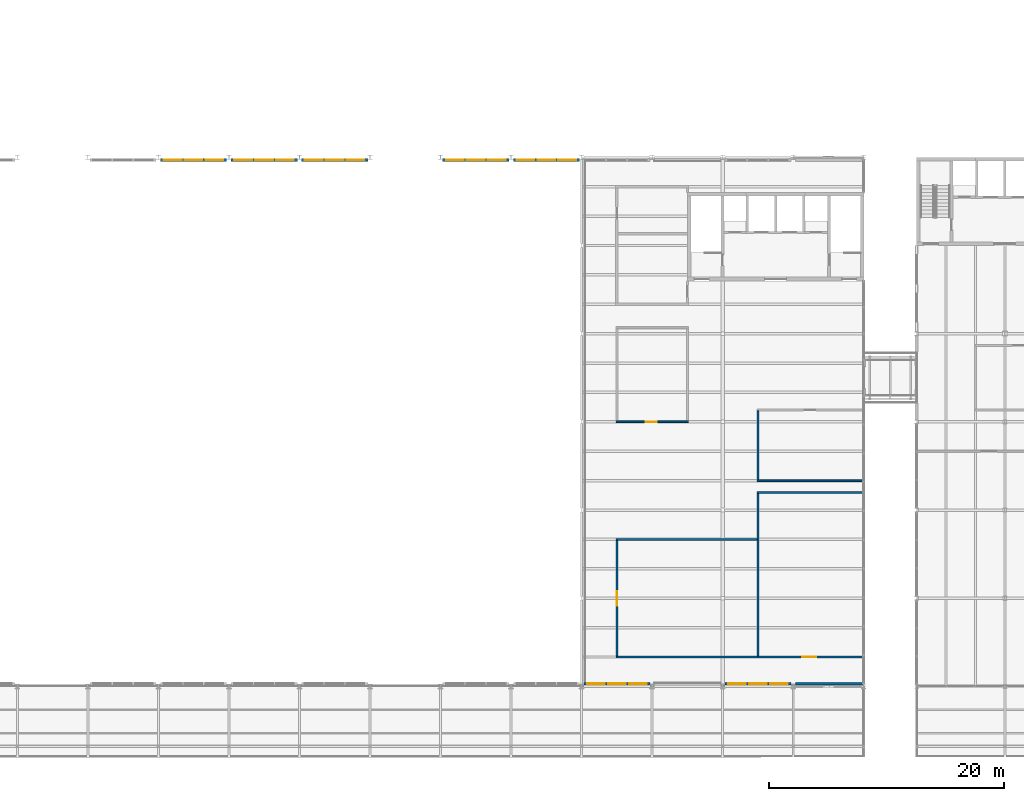
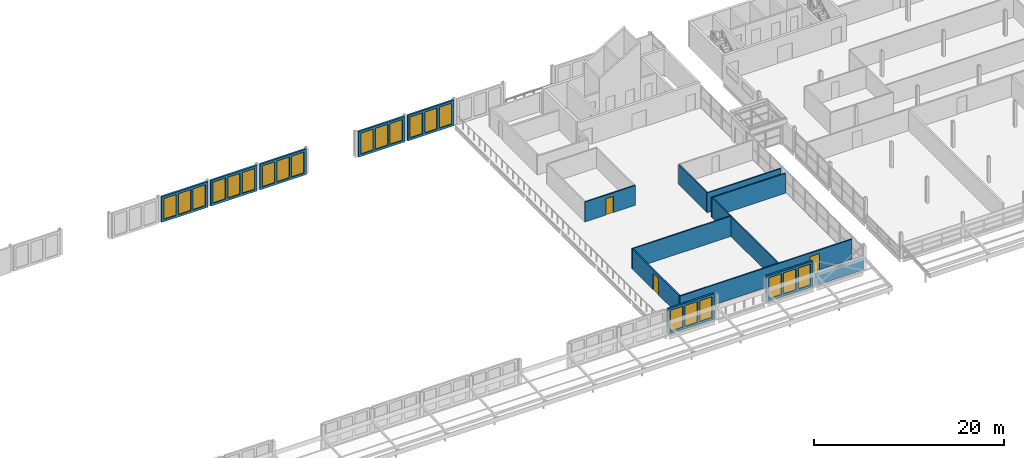
# One storey, part 63 of 214: 21 windows, 16 walls, 3 doors, 24 openings.
"""IFC4 building model written with IfcOpenShell, lengths in metres."""

from ifc_helpers import new_model, si_unit, direction, frame, frame_2d, origin, place, context, subcontext, project, spatial, rectangle, extrude, material, layer, layer_set, type_object, element, fill, save


model = new_model("IFC4")

# Units and contexts
model_context = context("Model", 3, precision=1e-05, world=origin(), true_north=direction((0.0, 1.0)))
body_context = subcontext(model_context, "Body", "Model", "MODEL_VIEW")
ifc_project = project(units=[si_unit("LENGTHUNIT", "METRE"), si_unit("AREAUNIT", "SQUARE_METRE"), si_unit("VOLUMEUNIT", "CUBIC_METRE"), si_unit("PLANEANGLEUNIT", "RADIAN"), si_unit("MASSUNIT", "GRAM", prefix="KILO")], contexts=[model_context])

# Site, building, storey
site_placement = place(None, origin())
site = spatial("IfcSite", under=ifc_project, at=site_placement, CompositionType="ELEMENT")
building_placement = place(site_placement, origin())
building = spatial("IfcBuilding", under=site, at=building_placement, Name="Parallax Yard Mobility Hub", CompositionType="ELEMENT")
storey_placement = place(building_placement, frame((0.0, 0.0, 3.300048828125)))
storey = spatial("IfcBuildingStorey", under=building, at=storey_placement, Name="L01", CompositionType="ELEMENT", Elevation=3.300048828125)

# Wall, openings, windows
ifc_material_1 = material(Name="Concrete fc' 35 MPa", Category="concrete")
ifc_layer_1 = layer(ifc_material_1, 0.219970703125)
ifc_layer_set_1 = layer_set([ifc_layer_1], Name="Gable panel, Concrete fc' 35 MPa precast, 220")
wall_type_1 = type_object("IfcWallType", Name="Gable panel, Concrete fc' 35 MPa precast, 220", PredefinedType="SOLIDWALL", material=ifc_layer_set_1)
wall_1_placement = place(storey_placement, frame((69.1865234375, 7.72412109375, 0.0), z_axis=(0.0, 0.0, 1.0), x_axis=(1.0, 0.0, 0.0)))
wall_1 = element("IfcWall", 1, at=wall_1_placement, inside=storey, type_object=wall_type_1, Name="Bus and taxi deck south gable wall bay 9 level L01", PredefinedType="SOLIDWALL", context=body_context, shape_type="SweptSolid", body=[
    extrude(rectangle(XDim=5.626953125, YDim=0.219970703125, at=frame_2d((2.8134765625, 0.0))), origin(), (0.0, 0.0, 1.0), 3.300048828125),
])
opening_1_placement = place(wall_1_placement, frame((0.28173828125, 0.0, 0.300048828125)))
opening_1 = element("IfcOpeningElement", 2, at=opening_1_placement, cuts=wall_1, Name="Opening LV8", PredefinedType="OPENING", context=body_context, shape_type="SweptSolid", body=[
    extrude(rectangle(XDim=1.5, YDim=2.699951171875, at=frame_2d((0.75, 1.35009765625))), frame((0.0, 0.1201171875, 0.0), z_axis=(0.0, -1.0, 0.0), x_axis=(1.0, 0.0, 0.0)), (0.0, 0.0, 1.0), 0.239990234375),
])
opening_2_placement = place(wall_1_placement, frame((2.0634765625, 0.0, 0.300048828125)))
opening_2 = element("IfcOpeningElement", 3, at=opening_2_placement, cuts=wall_1, Name="Opening LV8", PredefinedType="OPENING", context=body_context, shape_type="SweptSolid", body=[
    extrude(rectangle(XDim=1.5, YDim=2.699951171875, at=frame_2d((0.75, 1.35009765625))), frame((0.0, 0.1201171875, 0.0), z_axis=(0.0, -1.0, 0.0), x_axis=(1.0, 0.0, 0.0)), (0.0, 0.0, 1.0), 0.239990234375),
])
opening_3_placement = place(wall_1_placement, frame((3.84521484375, 0.0, 0.300048828125)))
opening_3 = element("IfcOpeningElement", 4, at=opening_3_placement, cuts=wall_1, Name="Opening LV8", PredefinedType="OPENING", context=body_context, shape_type="SweptSolid", body=[
    extrude(rectangle(XDim=1.5, YDim=2.699951171875, at=frame_2d((0.75, 1.35009765625))), frame((0.0, 0.1201171875, 0.0), z_axis=(0.0, -1.0, 0.0), x_axis=(1.0, 0.0, 0.0)), (0.0, 0.0, 1.0), 0.239990234375),
])
ifc_material_2 = material(Name="Extruded aluminium storm louvre blades in a powder-coated frame", Category="aluminium")
window_type = type_object("IfcWindowType", Name="Storm louvre 1500 x 2700", PartitioningType="SINGLE_PANEL", PredefinedType="WINDOW", material=ifc_material_2)
window_1_placement = place(opening_1_placement, origin())
window_1 = element("IfcWindow", 5, at=window_1_placement, inside=storey, type_object=window_type, Name="LV8 louvre level L01", OverallHeight=2.699951171875, OverallWidth=1.5, PartitioningType="SINGLE_PANEL", PredefinedType="WINDOW", context=body_context, shape_type="SweptSolid", body=[
    extrude(rectangle(XDim=1.5, YDim=2.699951171875, at=frame_2d((0.75, 1.35009765625))), frame((0.0, 0.030029296875, 0.0), z_axis=(0.0, -1.0, 0.0), x_axis=(1.0, 0.0, 0.0)), (0.0, 0.0, 1.0), 0.06005859375),
])
fill(opening_1, window_1)
window_2_placement = place(opening_2_placement, origin())
window_2 = element("IfcWindow", 6, at=window_2_placement, inside=storey, type_object=window_type, Name="LV8 louvre level L01", OverallHeight=2.699951171875, OverallWidth=1.5, PartitioningType="SINGLE_PANEL", PredefinedType="WINDOW", context=body_context, shape_type="SweptSolid", body=[
    extrude(rectangle(XDim=1.5, YDim=2.699951171875, at=frame_2d((0.75, 1.35009765625))), frame((0.0, 0.030029296875, 0.0), z_axis=(0.0, -1.0, 0.0), x_axis=(1.0, 0.0, 0.0)), (0.0, 0.0, 1.0), 0.06005859375),
])
fill(opening_2, window_2)
window_3_placement = place(opening_3_placement, origin())
window_3 = element("IfcWindow", 7, at=window_3_placement, inside=storey, type_object=window_type, Name="LV8 louvre level L01", OverallHeight=2.699951171875, OverallWidth=1.5, PartitioningType="SINGLE_PANEL", PredefinedType="WINDOW", context=body_context, shape_type="SweptSolid", body=[
    extrude(rectangle(XDim=1.5, YDim=2.699951171875, at=frame_2d((0.75, 1.35009765625))), frame((0.0, 0.030029296875, 0.0), z_axis=(0.0, -1.0, 0.0), x_axis=(1.0, 0.0, 0.0)), (0.0, 0.0, 1.0), 0.06005859375),
])
fill(opening_3, window_3)

wall_2_placement = place(storey_placement, frame((81.1865234375, 7.72412109375, 0.0), z_axis=(0.0, 0.0, 1.0), x_axis=(1.0, 0.0, 0.0)))
wall_2 = element("IfcWall", 8, at=wall_2_placement, inside=storey, type_object=wall_type_1, Name="Bus and taxi deck south gable wall bay 10 level L01", PredefinedType="SOLIDWALL", context=body_context, shape_type="SweptSolid", body=[
    extrude(rectangle(XDim=5.626953125, YDim=0.219970703125, at=frame_2d((2.8134765625, 0.0))), origin(), (0.0, 0.0, 1.0), 3.300048828125),
])
opening_4_placement = place(wall_2_placement, frame((0.28173828125, 0.0, 0.300048828125)))
opening_4 = element("IfcOpeningElement", 9, at=opening_4_placement, cuts=wall_2, Name="Opening LV8", PredefinedType="OPENING", context=body_context, shape_type="SweptSolid", body=[
    extrude(rectangle(XDim=1.5, YDim=2.699951171875, at=frame_2d((0.75, 1.35009765625))), frame((0.0, 0.1201171875, 0.0), z_axis=(0.0, -1.0, 0.0), x_axis=(1.0, 0.0, 0.0)), (0.0, 0.0, 1.0), 0.239990234375),
])
opening_5_placement = place(wall_2_placement, frame((2.0634765625, 0.0, 0.300048828125)))
opening_5 = element("IfcOpeningElement", 10, at=opening_5_placement, cuts=wall_2, Name="Opening LV8", PredefinedType="OPENING", context=body_context, shape_type="SweptSolid", body=[
    extrude(rectangle(XDim=1.5, YDim=2.699951171875, at=frame_2d((0.75, 1.35009765625))), frame((0.0, 0.1201171875, 0.0), z_axis=(0.0, -1.0, 0.0), x_axis=(1.0, 0.0, 0.0)), (0.0, 0.0, 1.0), 0.239990234375),
])
opening_6_placement = place(wall_2_placement, frame((3.84521484375, 0.0, 0.300048828125)))
opening_6 = element("IfcOpeningElement", 11, at=opening_6_placement, cuts=wall_2, Name="Opening LV8", PredefinedType="OPENING", context=body_context, shape_type="SweptSolid", body=[
    extrude(rectangle(XDim=1.5, YDim=2.699951171875, at=frame_2d((0.75, 1.35009765625))), frame((0.0, 0.1201171875, 0.0), z_axis=(0.0, -1.0, 0.0), x_axis=(1.0, 0.0, 0.0)), (0.0, 0.0, 1.0), 0.239990234375),
])
window_4_placement = place(opening_4_placement, origin())
window_4 = element("IfcWindow", 12, at=window_4_placement, inside=storey, type_object=window_type, Name="LV8 louvre level L01", OverallHeight=2.699951171875, OverallWidth=1.5, PartitioningType="SINGLE_PANEL", PredefinedType="WINDOW", context=body_context, shape_type="SweptSolid", body=[
    extrude(rectangle(XDim=1.5, YDim=2.699951171875, at=frame_2d((0.75, 1.35009765625))), frame((0.0, 0.030029296875, 0.0), z_axis=(0.0, -1.0, 0.0), x_axis=(1.0, 0.0, 0.0)), (0.0, 0.0, 1.0), 0.06005859375),
])
fill(opening_4, window_4)
window_5_placement = place(opening_5_placement, origin())
window_5 = element("IfcWindow", 13, at=window_5_placement, inside=storey, type_object=window_type, Name="LV8 louvre level L01", OverallHeight=2.699951171875, OverallWidth=1.5, PartitioningType="SINGLE_PANEL", PredefinedType="WINDOW", context=body_context, shape_type="SweptSolid", body=[
    extrude(rectangle(XDim=1.5, YDim=2.699951171875, at=frame_2d((0.75, 1.35009765625))), frame((0.0, 0.030029296875, 0.0), z_axis=(0.0, -1.0, 0.0), x_axis=(1.0, 0.0, 0.0)), (0.0, 0.0, 1.0), 0.06005859375),
])
fill(opening_5, window_5)
window_6_placement = place(opening_6_placement, origin())
window_6 = element("IfcWindow", 14, at=window_6_placement, inside=storey, type_object=window_type, Name="LV8 louvre level L01", OverallHeight=2.699951171875, OverallWidth=1.5, PartitioningType="SINGLE_PANEL", PredefinedType="WINDOW", context=body_context, shape_type="SweptSolid", body=[
    extrude(rectangle(XDim=1.5, YDim=2.699951171875, at=frame_2d((0.75, 1.35009765625))), frame((0.0, 0.030029296875, 0.0), z_axis=(0.0, -1.0, 0.0), x_axis=(1.0, 0.0, 0.0)), (0.0, 0.0, 1.0), 0.06005859375),
])
fill(opening_6, window_6)

# Wall
wall_3_placement = place(storey_placement, frame((87.1865234375, 7.72900390625, 0.0), z_axis=(0.0, 0.0, 1.0), x_axis=(1.0, 0.0, 0.0)))
element("IfcWall", 15, at=wall_3_placement, inside=storey, type_object=wall_type_1, Name="Bus and taxi deck south gable wall bay 11 level L01", PredefinedType="SOLIDWALL", context=body_context, shape_type="SweptSolid", body=[
    extrude(rectangle(XDim=5.783447265625, YDim=0.219970703125, at=frame_2d((2.8916015625, 0.0))), origin(), (0.0, 0.0, 1.0), 1.45556640625),
])

# Wall, openings, windows
wall_4_placement = place(storey_placement, frame((33.1865234375, 52.27587890625, 0.0), z_axis=(0.0, 0.0, 1.0), x_axis=(1.0, 0.0, 0.0)))
wall_4 = element("IfcWall", 16, at=wall_4_placement, inside=storey, type_object=wall_type_1, Name="Bus and taxi deck north gable wall bay 4 level L01", PredefinedType="SOLIDWALL", context=body_context, shape_type="SweptSolid", body=[
    extrude(rectangle(XDim=5.626953125, YDim=0.219970703125, at=frame_2d((2.8134765625, 0.0))), origin(), (0.0, 0.0, 1.0), 3.300048828125),
])
opening_7_placement = place(wall_4_placement, frame((0.28173828125, 0.0, 0.300048828125)))
opening_7 = element("IfcOpeningElement", 17, at=opening_7_placement, cuts=wall_4, Name="Opening LV8", PredefinedType="OPENING", context=body_context, shape_type="SweptSolid", body=[
    extrude(rectangle(XDim=1.5, YDim=2.699951171875, at=frame_2d((0.75, 1.35009765625))), frame((0.0, 0.1201171875, 0.0), z_axis=(0.0, -1.0, 0.0), x_axis=(1.0, 0.0, 0.0)), (0.0, 0.0, 1.0), 0.239990234375),
])
opening_8_placement = place(wall_4_placement, frame((2.0634765625, 0.0, 0.300048828125)))
opening_8 = element("IfcOpeningElement", 18, at=opening_8_placement, cuts=wall_4, Name="Opening LV8", PredefinedType="OPENING", context=body_context, shape_type="SweptSolid", body=[
    extrude(rectangle(XDim=1.5, YDim=2.699951171875, at=frame_2d((0.75, 1.35009765625))), frame((0.0, 0.1201171875, 0.0), z_axis=(0.0, -1.0, 0.0), x_axis=(1.0, 0.0, 0.0)), (0.0, 0.0, 1.0), 0.239990234375),
])
opening_9_placement = place(wall_4_placement, frame((3.84521484375, 0.0, 0.300048828125)))
opening_9 = element("IfcOpeningElement", 19, at=opening_9_placement, cuts=wall_4, Name="Opening LV8", PredefinedType="OPENING", context=body_context, shape_type="SweptSolid", body=[
    extrude(rectangle(XDim=1.5, YDim=2.699951171875, at=frame_2d((0.75, 1.35009765625))), frame((0.0, 0.1201171875, 0.0), z_axis=(0.0, -1.0, 0.0), x_axis=(1.0, 0.0, 0.0)), (0.0, 0.0, 1.0), 0.239990234375),
])
window_7_placement = place(opening_7_placement, origin())
window_7 = element("IfcWindow", 20, at=window_7_placement, inside=storey, type_object=window_type, Name="LV8 louvre level L01", OverallHeight=2.699951171875, OverallWidth=1.5, PartitioningType="SINGLE_PANEL", PredefinedType="WINDOW", context=body_context, shape_type="SweptSolid", body=[
    extrude(rectangle(XDim=1.5, YDim=2.699951171875, at=frame_2d((0.75, 1.35009765625))), frame((0.0, 0.030029296875, 0.0), z_axis=(0.0, -1.0, 0.0), x_axis=(1.0, 0.0, 0.0)), (0.0, 0.0, 1.0), 0.06005859375),
])
fill(opening_7, window_7)
window_8_placement = place(opening_8_placement, origin())
window_8 = element("IfcWindow", 21, at=window_8_placement, inside=storey, type_object=window_type, Name="LV8 louvre level L01", OverallHeight=2.699951171875, OverallWidth=1.5, PartitioningType="SINGLE_PANEL", PredefinedType="WINDOW", context=body_context, shape_type="SweptSolid", body=[
    extrude(rectangle(XDim=1.5, YDim=2.699951171875, at=frame_2d((0.75, 1.35009765625))), frame((0.0, 0.030029296875, 0.0), z_axis=(0.0, -1.0, 0.0), x_axis=(1.0, 0.0, 0.0)), (0.0, 0.0, 1.0), 0.06005859375),
])
fill(opening_8, window_8)
window_9_placement = place(opening_9_placement, origin())
window_9 = element("IfcWindow", 22, at=window_9_placement, inside=storey, type_object=window_type, Name="LV8 louvre level L01", OverallHeight=2.699951171875, OverallWidth=1.5, PartitioningType="SINGLE_PANEL", PredefinedType="WINDOW", context=body_context, shape_type="SweptSolid", body=[
    extrude(rectangle(XDim=1.5, YDim=2.699951171875, at=frame_2d((0.75, 1.35009765625))), frame((0.0, 0.030029296875, 0.0), z_axis=(0.0, -1.0, 0.0), x_axis=(1.0, 0.0, 0.0)), (0.0, 0.0, 1.0), 0.06005859375),
])
fill(opening_9, window_9)

wall_5_placement = place(storey_placement, frame((39.1865234375, 52.27587890625, 0.0), z_axis=(0.0, 0.0, 1.0), x_axis=(1.0, 0.0, 0.0)))
wall_5 = element("IfcWall", 23, at=wall_5_placement, inside=storey, type_object=wall_type_1, Name="Bus and taxi deck north gable wall bay 5 level L01", PredefinedType="SOLIDWALL", context=body_context, shape_type="SweptSolid", body=[
    extrude(rectangle(XDim=5.626953125, YDim=0.219970703125, at=frame_2d((2.8134765625, 0.0))), origin(), (0.0, 0.0, 1.0), 3.300048828125),
])
opening_10_placement = place(wall_5_placement, frame((0.28173828125, 0.0, 0.300048828125)))
opening_10 = element("IfcOpeningElement", 24, at=opening_10_placement, cuts=wall_5, Name="Opening LV8", PredefinedType="OPENING", context=body_context, shape_type="SweptSolid", body=[
    extrude(rectangle(XDim=1.5, YDim=2.699951171875, at=frame_2d((0.75, 1.35009765625))), frame((0.0, 0.1201171875, 0.0), z_axis=(0.0, -1.0, 0.0), x_axis=(1.0, 0.0, 0.0)), (0.0, 0.0, 1.0), 0.239990234375),
])
opening_11_placement = place(wall_5_placement, frame((2.0634765625, 0.0, 0.300048828125)))
opening_11 = element("IfcOpeningElement", 25, at=opening_11_placement, cuts=wall_5, Name="Opening LV8", PredefinedType="OPENING", context=body_context, shape_type="SweptSolid", body=[
    extrude(rectangle(XDim=1.5, YDim=2.699951171875, at=frame_2d((0.75, 1.35009765625))), frame((0.0, 0.1201171875, 0.0), z_axis=(0.0, -1.0, 0.0), x_axis=(1.0, 0.0, 0.0)), (0.0, 0.0, 1.0), 0.239990234375),
])
opening_12_placement = place(wall_5_placement, frame((3.84521484375, 0.0, 0.300048828125)))
opening_12 = element("IfcOpeningElement", 26, at=opening_12_placement, cuts=wall_5, Name="Opening LV8", PredefinedType="OPENING", context=body_context, shape_type="SweptSolid", body=[
    extrude(rectangle(XDim=1.5, YDim=2.699951171875, at=frame_2d((0.75, 1.35009765625))), frame((0.0, 0.1201171875, 0.0), z_axis=(0.0, -1.0, 0.0), x_axis=(1.0, 0.0, 0.0)), (0.0, 0.0, 1.0), 0.239990234375),
])
window_10_placement = place(opening_10_placement, origin())
window_10 = element("IfcWindow", 27, at=window_10_placement, inside=storey, type_object=window_type, Name="LV8 louvre level L01", OverallHeight=2.699951171875, OverallWidth=1.5, PartitioningType="SINGLE_PANEL", PredefinedType="WINDOW", context=body_context, shape_type="SweptSolid", body=[
    extrude(rectangle(XDim=1.5, YDim=2.699951171875, at=frame_2d((0.75, 1.35009765625))), frame((0.0, 0.030029296875, 0.0), z_axis=(0.0, -1.0, 0.0), x_axis=(1.0, 0.0, 0.0)), (0.0, 0.0, 1.0), 0.06005859375),
])
fill(opening_10, window_10)
window_11_placement = place(opening_11_placement, origin())
window_11 = element("IfcWindow", 28, at=window_11_placement, inside=storey, type_object=window_type, Name="LV8 louvre level L01", OverallHeight=2.699951171875, OverallWidth=1.5, PartitioningType="SINGLE_PANEL", PredefinedType="WINDOW", context=body_context, shape_type="SweptSolid", body=[
    extrude(rectangle(XDim=1.5, YDim=2.699951171875, at=frame_2d((0.75, 1.35009765625))), frame((0.0, 0.030029296875, 0.0), z_axis=(0.0, -1.0, 0.0), x_axis=(1.0, 0.0, 0.0)), (0.0, 0.0, 1.0), 0.06005859375),
])
fill(opening_11, window_11)
window_12_placement = place(opening_12_placement, origin())
window_12 = element("IfcWindow", 29, at=window_12_placement, inside=storey, type_object=window_type, Name="LV8 louvre level L01", OverallHeight=2.699951171875, OverallWidth=1.5, PartitioningType="SINGLE_PANEL", PredefinedType="WINDOW", context=body_context, shape_type="SweptSolid", body=[
    extrude(rectangle(XDim=1.5, YDim=2.699951171875, at=frame_2d((0.75, 1.35009765625))), frame((0.0, 0.030029296875, 0.0), z_axis=(0.0, -1.0, 0.0), x_axis=(1.0, 0.0, 0.0)), (0.0, 0.0, 1.0), 0.06005859375),
])
fill(opening_12, window_12)

wall_6_placement = place(storey_placement, frame((45.1865234375, 52.27587890625, 0.0), z_axis=(0.0, 0.0, 1.0), x_axis=(1.0, 0.0, 0.0)))
wall_6 = element("IfcWall", 30, at=wall_6_placement, inside=storey, type_object=wall_type_1, Name="Bus and taxi deck north gable wall bay 6 level L01", PredefinedType="SOLIDWALL", context=body_context, shape_type="SweptSolid", body=[
    extrude(rectangle(XDim=5.626953125, YDim=0.219970703125, at=frame_2d((2.8134765625, 0.0))), origin(), (0.0, 0.0, 1.0), 3.300048828125),
])
opening_13_placement = place(wall_6_placement, frame((0.28173828125, 0.0, 0.300048828125)))
opening_13 = element("IfcOpeningElement", 31, at=opening_13_placement, cuts=wall_6, Name="Opening LV8", PredefinedType="OPENING", context=body_context, shape_type="SweptSolid", body=[
    extrude(rectangle(XDim=1.5, YDim=2.699951171875, at=frame_2d((0.75, 1.35009765625))), frame((0.0, 0.1201171875, 0.0), z_axis=(0.0, -1.0, 0.0), x_axis=(1.0, 0.0, 0.0)), (0.0, 0.0, 1.0), 0.239990234375),
])
opening_14_placement = place(wall_6_placement, frame((2.0634765625, 0.0, 0.300048828125)))
opening_14 = element("IfcOpeningElement", 32, at=opening_14_placement, cuts=wall_6, Name="Opening LV8", PredefinedType="OPENING", context=body_context, shape_type="SweptSolid", body=[
    extrude(rectangle(XDim=1.5, YDim=2.699951171875, at=frame_2d((0.75, 1.35009765625))), frame((0.0, 0.1201171875, 0.0), z_axis=(0.0, -1.0, 0.0), x_axis=(1.0, 0.0, 0.0)), (0.0, 0.0, 1.0), 0.239990234375),
])
opening_15_placement = place(wall_6_placement, frame((3.84521484375, 0.0, 0.300048828125)))
opening_15 = element("IfcOpeningElement", 33, at=opening_15_placement, cuts=wall_6, Name="Opening LV8", PredefinedType="OPENING", context=body_context, shape_type="SweptSolid", body=[
    extrude(rectangle(XDim=1.5, YDim=2.699951171875, at=frame_2d((0.75, 1.35009765625))), frame((0.0, 0.1201171875, 0.0), z_axis=(0.0, -1.0, 0.0), x_axis=(1.0, 0.0, 0.0)), (0.0, 0.0, 1.0), 0.239990234375),
])
window_13_placement = place(opening_13_placement, origin())
window_13 = element("IfcWindow", 34, at=window_13_placement, inside=storey, type_object=window_type, Name="LV8 louvre level L01", OverallHeight=2.699951171875, OverallWidth=1.5, PartitioningType="SINGLE_PANEL", PredefinedType="WINDOW", context=body_context, shape_type="SweptSolid", body=[
    extrude(rectangle(XDim=1.5, YDim=2.699951171875, at=frame_2d((0.75, 1.35009765625))), frame((0.0, 0.030029296875, 0.0), z_axis=(0.0, -1.0, 0.0), x_axis=(1.0, 0.0, 0.0)), (0.0, 0.0, 1.0), 0.06005859375),
])
fill(opening_13, window_13)
window_14_placement = place(opening_14_placement, origin())
window_14 = element("IfcWindow", 35, at=window_14_placement, inside=storey, type_object=window_type, Name="LV8 louvre level L01", OverallHeight=2.699951171875, OverallWidth=1.5, PartitioningType="SINGLE_PANEL", PredefinedType="WINDOW", context=body_context, shape_type="SweptSolid", body=[
    extrude(rectangle(XDim=1.5, YDim=2.699951171875, at=frame_2d((0.75, 1.35009765625))), frame((0.0, 0.030029296875, 0.0), z_axis=(0.0, -1.0, 0.0), x_axis=(1.0, 0.0, 0.0)), (0.0, 0.0, 1.0), 0.06005859375),
])
fill(opening_14, window_14)
window_15_placement = place(opening_15_placement, origin())
window_15 = element("IfcWindow", 36, at=window_15_placement, inside=storey, type_object=window_type, Name="LV8 louvre level L01", OverallHeight=2.699951171875, OverallWidth=1.5, PartitioningType="SINGLE_PANEL", PredefinedType="WINDOW", context=body_context, shape_type="SweptSolid", body=[
    extrude(rectangle(XDim=1.5, YDim=2.699951171875, at=frame_2d((0.75, 1.35009765625))), frame((0.0, 0.030029296875, 0.0), z_axis=(0.0, -1.0, 0.0), x_axis=(1.0, 0.0, 0.0)), (0.0, 0.0, 1.0), 0.06005859375),
])
fill(opening_15, window_15)

wall_7_placement = place(storey_placement, frame((57.1865234375, 52.27587890625, 0.0), z_axis=(0.0, 0.0, 1.0), x_axis=(1.0, 0.0, 0.0)))
wall_7 = element("IfcWall", 37, at=wall_7_placement, inside=storey, type_object=wall_type_1, Name="Bus and taxi deck north gable wall bay 7 level L01", PredefinedType="SOLIDWALL", context=body_context, shape_type="SweptSolid", body=[
    extrude(rectangle(XDim=5.626953125, YDim=0.219970703125, at=frame_2d((2.8134765625, 0.0))), origin(), (0.0, 0.0, 1.0), 3.300048828125),
])
opening_16_placement = place(wall_7_placement, frame((0.28173828125, 0.0, 0.300048828125)))
opening_16 = element("IfcOpeningElement", 38, at=opening_16_placement, cuts=wall_7, Name="Opening LV8", PredefinedType="OPENING", context=body_context, shape_type="SweptSolid", body=[
    extrude(rectangle(XDim=1.5, YDim=2.699951171875, at=frame_2d((0.75, 1.35009765625))), frame((0.0, 0.1201171875, 0.0), z_axis=(0.0, -1.0, 0.0), x_axis=(1.0, 0.0, 0.0)), (0.0, 0.0, 1.0), 0.239990234375),
])
opening_17_placement = place(wall_7_placement, frame((2.0634765625, 0.0, 0.300048828125)))
opening_17 = element("IfcOpeningElement", 39, at=opening_17_placement, cuts=wall_7, Name="Opening LV8", PredefinedType="OPENING", context=body_context, shape_type="SweptSolid", body=[
    extrude(rectangle(XDim=1.5, YDim=2.699951171875, at=frame_2d((0.75, 1.35009765625))), frame((0.0, 0.1201171875, 0.0), z_axis=(0.0, -1.0, 0.0), x_axis=(1.0, 0.0, 0.0)), (0.0, 0.0, 1.0), 0.239990234375),
])
opening_18_placement = place(wall_7_placement, frame((3.84521484375, 0.0, 0.300048828125)))
opening_18 = element("IfcOpeningElement", 40, at=opening_18_placement, cuts=wall_7, Name="Opening LV8", PredefinedType="OPENING", context=body_context, shape_type="SweptSolid", body=[
    extrude(rectangle(XDim=1.5, YDim=2.699951171875, at=frame_2d((0.75, 1.35009765625))), frame((0.0, 0.1201171875, 0.0), z_axis=(0.0, -1.0, 0.0), x_axis=(1.0, 0.0, 0.0)), (0.0, 0.0, 1.0), 0.239990234375),
])
window_16_placement = place(opening_16_placement, origin())
window_16 = element("IfcWindow", 41, at=window_16_placement, inside=storey, type_object=window_type, Name="LV8 louvre level L01", OverallHeight=2.699951171875, OverallWidth=1.5, PartitioningType="SINGLE_PANEL", PredefinedType="WINDOW", context=body_context, shape_type="SweptSolid", body=[
    extrude(rectangle(XDim=1.5, YDim=2.699951171875, at=frame_2d((0.75, 1.35009765625))), frame((0.0, 0.030029296875, 0.0), z_axis=(0.0, -1.0, 0.0), x_axis=(1.0, 0.0, 0.0)), (0.0, 0.0, 1.0), 0.06005859375),
])
fill(opening_16, window_16)
window_17_placement = place(opening_17_placement, origin())
window_17 = element("IfcWindow", 42, at=window_17_placement, inside=storey, type_object=window_type, Name="LV8 louvre level L01", OverallHeight=2.699951171875, OverallWidth=1.5, PartitioningType="SINGLE_PANEL", PredefinedType="WINDOW", context=body_context, shape_type="SweptSolid", body=[
    extrude(rectangle(XDim=1.5, YDim=2.699951171875, at=frame_2d((0.75, 1.35009765625))), frame((0.0, 0.030029296875, 0.0), z_axis=(0.0, -1.0, 0.0), x_axis=(1.0, 0.0, 0.0)), (0.0, 0.0, 1.0), 0.06005859375),
])
fill(opening_17, window_17)
window_18_placement = place(opening_18_placement, origin())
window_18 = element("IfcWindow", 43, at=window_18_placement, inside=storey, type_object=window_type, Name="LV8 louvre level L01", OverallHeight=2.699951171875, OverallWidth=1.5, PartitioningType="SINGLE_PANEL", PredefinedType="WINDOW", context=body_context, shape_type="SweptSolid", body=[
    extrude(rectangle(XDim=1.5, YDim=2.699951171875, at=frame_2d((0.75, 1.35009765625))), frame((0.0, 0.030029296875, 0.0), z_axis=(0.0, -1.0, 0.0), x_axis=(1.0, 0.0, 0.0)), (0.0, 0.0, 1.0), 0.06005859375),
])
fill(opening_18, window_18)

wall_8_placement = place(storey_placement, frame((63.1865234375, 52.27587890625, 0.0), z_axis=(0.0, 0.0, 1.0), x_axis=(1.0, 0.0, 0.0)))
wall_8 = element("IfcWall", 44, at=wall_8_placement, inside=storey, type_object=wall_type_1, Name="Bus and taxi deck north gable wall bay 8 level L01", PredefinedType="SOLIDWALL", context=body_context, shape_type="SweptSolid", body=[
    extrude(rectangle(XDim=5.626953125, YDim=0.219970703125, at=frame_2d((2.8134765625, 0.0))), origin(), (0.0, 0.0, 1.0), 3.300048828125),
])
opening_19_placement = place(wall_8_placement, frame((0.28173828125, 0.0, 0.300048828125)))
opening_19 = element("IfcOpeningElement", 45, at=opening_19_placement, cuts=wall_8, Name="Opening LV8", PredefinedType="OPENING", context=body_context, shape_type="SweptSolid", body=[
    extrude(rectangle(XDim=1.5, YDim=2.699951171875, at=frame_2d((0.75, 1.35009765625))), frame((0.0, 0.1201171875, 0.0), z_axis=(0.0, -1.0, 0.0), x_axis=(1.0, 0.0, 0.0)), (0.0, 0.0, 1.0), 0.239990234375),
])
opening_20_placement = place(wall_8_placement, frame((2.0634765625, 0.0, 0.300048828125)))
opening_20 = element("IfcOpeningElement", 46, at=opening_20_placement, cuts=wall_8, Name="Opening LV8", PredefinedType="OPENING", context=body_context, shape_type="SweptSolid", body=[
    extrude(rectangle(XDim=1.5, YDim=2.699951171875, at=frame_2d((0.75, 1.35009765625))), frame((0.0, 0.1201171875, 0.0), z_axis=(0.0, -1.0, 0.0), x_axis=(1.0, 0.0, 0.0)), (0.0, 0.0, 1.0), 0.239990234375),
])
opening_21_placement = place(wall_8_placement, frame((3.84521484375, 0.0, 0.300048828125)))
opening_21 = element("IfcOpeningElement", 47, at=opening_21_placement, cuts=wall_8, Name="Opening LV8", PredefinedType="OPENING", context=body_context, shape_type="SweptSolid", body=[
    extrude(rectangle(XDim=1.5, YDim=2.699951171875, at=frame_2d((0.75, 1.35009765625))), frame((0.0, 0.1201171875, 0.0), z_axis=(0.0, -1.0, 0.0), x_axis=(1.0, 0.0, 0.0)), (0.0, 0.0, 1.0), 0.239990234375),
])
window_19_placement = place(opening_19_placement, origin())
window_19 = element("IfcWindow", 48, at=window_19_placement, inside=storey, type_object=window_type, Name="LV8 louvre level L01", OverallHeight=2.699951171875, OverallWidth=1.5, PartitioningType="SINGLE_PANEL", PredefinedType="WINDOW", context=body_context, shape_type="SweptSolid", body=[
    extrude(rectangle(XDim=1.5, YDim=2.699951171875, at=frame_2d((0.75, 1.35009765625))), frame((0.0, 0.030029296875, 0.0), z_axis=(0.0, -1.0, 0.0), x_axis=(1.0, 0.0, 0.0)), (0.0, 0.0, 1.0), 0.06005859375),
])
fill(opening_19, window_19)
window_20_placement = place(opening_20_placement, origin())
window_20 = element("IfcWindow", 49, at=window_20_placement, inside=storey, type_object=window_type, Name="LV8 louvre level L01", OverallHeight=2.699951171875, OverallWidth=1.5, PartitioningType="SINGLE_PANEL", PredefinedType="WINDOW", context=body_context, shape_type="SweptSolid", body=[
    extrude(rectangle(XDim=1.5, YDim=2.699951171875, at=frame_2d((0.75, 1.35009765625))), frame((0.0, 0.030029296875, 0.0), z_axis=(0.0, -1.0, 0.0), x_axis=(1.0, 0.0, 0.0)), (0.0, 0.0, 1.0), 0.06005859375),
])
fill(opening_20, window_20)
window_21_placement = place(opening_21_placement, origin())
window_21 = element("IfcWindow", 50, at=window_21_placement, inside=storey, type_object=window_type, Name="LV8 louvre level L01", OverallHeight=2.699951171875, OverallWidth=1.5, PartitioningType="SINGLE_PANEL", PredefinedType="WINDOW", context=body_context, shape_type="SweptSolid", body=[
    extrude(rectangle(XDim=1.5, YDim=2.699951171875, at=frame_2d((0.75, 1.35009765625))), frame((0.0, 0.030029296875, 0.0), z_axis=(0.0, -1.0, 0.0), x_axis=(1.0, 0.0, 0.0)), (0.0, 0.0, 1.0), 0.06005859375),
])
fill(opening_21, window_21)

# Wall, opening, door
ifc_material_3 = material(Name="Plasterboard partition on light framing")
ifc_layer_2 = layer(ifc_material_3, 0.14990234375)
ifc_layer_set_2 = layer_set([ifc_layer_2], Name="Partition 150 mm")
wall_type_2 = type_object("IfcWallType", Name="Partition 150 mm", PredefinedType="PARTITIONING", material=ifc_layer_set_2)
wall_9_placement = place(storey_placement, frame((71.925048828125, 10.0, 0.0), z_axis=(0.0, 0.0, 1.0), x_axis=(1.0, 0.0, 0.0)))
wall_9 = element("IfcWall", 51, at=wall_9_placement, inside=storey, type_object=wall_type_2, Name="Partition 1 level L01", PredefinedType="PARTITIONING", context=body_context, shape_type="SweptSolid", body=[
    extrude(rectangle(XDim=21.0, YDim=0.14990234375, at=frame_2d((10.5, 0.0))), origin(), (0.0, 0.0, 1.0), 2.56005859375),
])
opening_22_placement = place(wall_9_placement, frame((15.837890625, 0.0, 0.0)))
opening_22 = element("IfcOpeningElement", 52, at=opening_22_placement, cuts=wall_9, Name="Opening L01-D200", PredefinedType="OPENING", context=body_context, shape_type="SweptSolid", body=[
    extrude(rectangle(XDim=1.199951171875, YDim=2.10009765625, at=frame_2d((0.60009765625, 1.050048828125))), frame((0.0, 0.0849609375, 0.0), z_axis=(0.0, -1.0, 0.0), x_axis=(1.0, 0.0, 0.0)), (0.0, 0.0, 1.0), 0.169921875),
])
ifc_material_4 = material(Name="Solid timber door leaf", Category="wood")
door_type_1 = type_object("IfcDoorType", Name="Interior door 1200 mm", OperationType="DOUBLE_DOOR_SINGLE_SWING", PredefinedType="DOOR", material=ifc_material_4)
door_1_placement = place(opening_22_placement, origin())
door_1 = element("IfcDoor", 53, at=door_1_placement, inside=storey, type_object=door_type_1, Name="Door L01-D200 Information Lounge", OperationType="DOUBLE_DOOR_SINGLE_SWING", OverallHeight=2.10009765625, OverallWidth=1.199951171875, PredefinedType="DOOR", context=body_context, shape_type="SweptSolid", body=[
    extrude(rectangle(XDim=1.199951171875, YDim=2.10009765625, at=frame_2d((0.60009765625, 1.050048828125))), frame((0.0, 0.02490234375, 0.0), z_axis=(0.0, -1.0, 0.0), x_axis=(1.0, 0.0, 0.0)), (0.0, 0.0, 1.0), 0.050048828125),
])
fill(opening_22, door_1)

# Walls
wall_10_placement = place(storey_placement, frame((71.925048828125, 20.0, 0.0), z_axis=(0.0, 0.0, 1.0), x_axis=(1.0, 0.0, 0.0)))
element("IfcWall", 54, at=wall_10_placement, inside=storey, type_object=wall_type_2, Name="Partition 3 level L01", PredefinedType="PARTITIONING", context=body_context, shape_type="SweptSolid", body=[
    extrude(rectangle(XDim=12.0, YDim=0.14990234375, at=frame_2d((6.0, 0.0))), origin(), (0.0, 0.0, 1.0), 2.60986328125),
])
for number, where, z_axis, x_axis, name in (
    (55, (83.925048828125, 24.0, 0.0), (0.0, 0.0, 1.0), (1.0, 0.0, 0.0), "Partition 6 level L01"),
    (56, (83.925048828125, 25.0, 0.0), (0.0, 0.0, 1.0), (1.0, 0.0, 0.0), "Partition 7 level L01"),
):
    element("IfcWall", number, at=place(storey_placement, frame(where, z_axis=z_axis, x_axis=x_axis)), inside=storey, type_object=wall_type_2, Name=name, PredefinedType="PARTITIONING", context=body_context, shape_type="SweptSolid", body=[
        extrude(rectangle(XDim=9.0, YDim=0.14990234375, at=frame_2d((4.5, 0.0))), origin(), (0.0, 0.0, 1.0), 2.56005859375),
    ])

# Wall, opening, door
wall_11_placement = place(storey_placement, frame((71.925048828125, 30.0, 0.0), z_axis=(0.0, 0.0, 1.0), x_axis=(1.0, 0.0, 0.0)))
wall_11 = element("IfcWall", 57, at=wall_11_placement, inside=storey, type_object=wall_type_2, Name="Partition 11 level L01", PredefinedType="PARTITIONING", context=body_context, shape_type="SweptSolid", body=[
    extrude(rectangle(XDim=6.14990234375, YDim=0.14990234375, at=frame_2d((3.074951171875, 0.0))), origin(), (0.0, 0.0, 1.0), 2.56005859375),
])
opening_23_placement = place(wall_11_placement, frame((2.550048828125, 0.0, 0.0)))
opening_23 = element("IfcOpeningElement", 58, at=opening_23_placement, cuts=wall_11, Name="Opening L01-D209", PredefinedType="OPENING", context=body_context, shape_type="SweptSolid", body=[
    extrude(rectangle(XDim=0.89990234375, YDim=2.10009765625, at=frame_2d((0.449951171875, 1.050048828125))), frame((0.0, 0.0849609375, 0.0), z_axis=(0.0, -1.0, 0.0), x_axis=(1.0, 0.0, 0.0)), (0.0, 0.0, 1.0), 0.169921875),
])
door_type_2 = type_object("IfcDoorType", Name="Interior door 900 mm", OperationType="NOTDEFINED", PredefinedType="DOOR", material=ifc_material_4)
door_2_placement = place(opening_23_placement, origin())
door_2 = element("IfcDoor", 59, at=door_2_placement, inside=storey, type_object=door_type_2, Name="Door L01-D209 Crew Rest Room", OperationType="SINGLE_SWING_LEFT", OverallHeight=2.10009765625, OverallWidth=0.89990234375, PredefinedType="DOOR", context=body_context, shape_type="SweptSolid", body=[
    extrude(rectangle(XDim=0.89990234375, YDim=2.10009765625, at=frame_2d((0.449951171875, 1.050048828125))), frame((0.0, 0.02490234375, 0.0), z_axis=(0.0, -1.0, 0.0), x_axis=(1.0, 0.0, 0.0)), (0.0, 0.0, 1.0), 0.050048828125),
])
fill(opening_23, door_2)

wall_12_placement = place(storey_placement, frame((72.0, 10.074951171875, 0.0), z_axis=(0.0, 0.0, 1.0), x_axis=(0.0, 1.0, 0.0)))
wall_12 = element("IfcWall", 60, at=wall_12_placement, inside=storey, type_object=wall_type_2, Name="Partition 44 level L01", PredefinedType="PARTITIONING", context=body_context, shape_type="SweptSolid", body=[
    extrude(rectangle(XDim=9.85009765625, YDim=0.14990234375, at=frame_2d((4.925048828125, 0.0))), origin(), (0.0, 0.0, 1.0), 2.56005859375),
])
opening_24_placement = place(wall_12_placement, frame((4.300048828125, 0.0, 0.0)))
opening_24 = element("IfcOpeningElement", 61, at=opening_24_placement, cuts=wall_12, Name="Opening L01-D201", PredefinedType="OPENING", context=body_context, shape_type="SweptSolid", body=[
    extrude(rectangle(XDim=1.199951171875, YDim=2.10009765625, at=frame_2d((0.60009765625, 1.050048828125))), frame((0.0, 0.0849609375, 0.0), z_axis=(0.0, -1.0, 0.0), x_axis=(1.0, 0.0, 0.0)), (0.0, 0.0, 1.0), 0.169921875),
])
door_3_placement = place(opening_24_placement, origin())
door_3 = element("IfcDoor", 62, at=door_3_placement, inside=storey, type_object=door_type_1, Name="Door L01-D201 Operator Office", OperationType="DOUBLE_DOOR_SINGLE_SWING", OverallHeight=2.10009765625, OverallWidth=1.199951171875, PredefinedType="DOOR", context=body_context, shape_type="SweptSolid", body=[
    extrude(rectangle(XDim=1.199951171875, YDim=2.10009765625, at=frame_2d((0.60009765625, 1.050048828125))), frame((0.0, 0.02490234375, 0.0), z_axis=(0.0, -1.0, 0.0), x_axis=(1.0, 0.0, 0.0)), (0.0, 0.0, 1.0), 0.050048828125),
])
fill(opening_24, door_3)

# Walls
wall_13_placement = place(storey_placement, frame((84.0, 10.074951171875, 0.0), z_axis=(0.0, 0.0, 1.0), x_axis=(0.0, 1.0, 0.0)))
element("IfcWall", 63, at=wall_13_placement, inside=storey, type_object=wall_type_2, Name="Partition 50 level L01", PredefinedType="PARTITIONING", context=body_context, shape_type="SweptSolid", body=[
    extrude(rectangle(XDim=13.85009765625, YDim=0.14990234375, at=frame_2d((6.925048828125, 0.0))), origin(), (0.0, 0.0, 1.0), 2.56005859375),
])
wall_14_placement = place(storey_placement, frame((84.0, 25.074951171875, 0.0), z_axis=(0.0, 0.0, 1.0), x_axis=(0.0, 1.0, 0.0)))
element("IfcWall", 64, at=wall_14_placement, inside=storey, type_object=wall_type_2, Name="Partition 51 level L01", PredefinedType="PARTITIONING", context=body_context, shape_type="SweptSolid", body=[
    extrude(rectangle(XDim=5.85009765625, YDim=0.14990234375, at=frame_2d((2.925048828125, 0.0))), origin(), (0.0, 0.0, 1.0), 2.56005859375),
])

save(model, "model.ifc")
